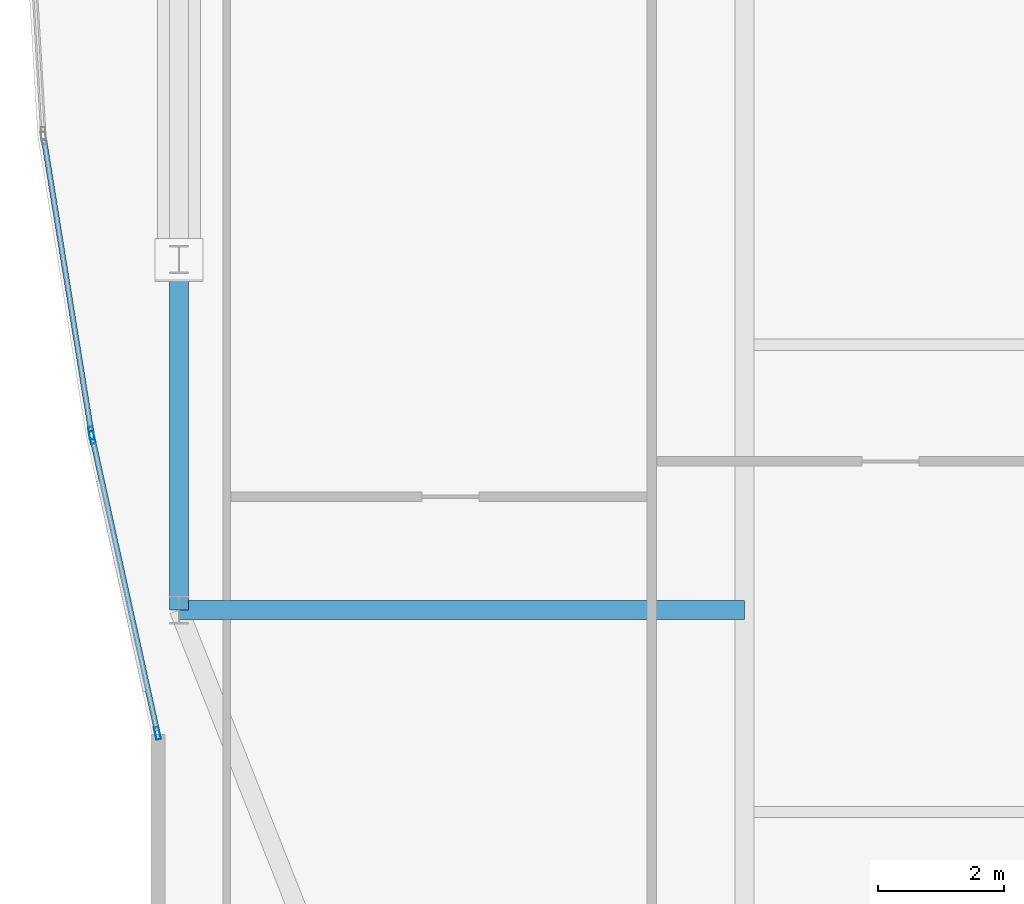
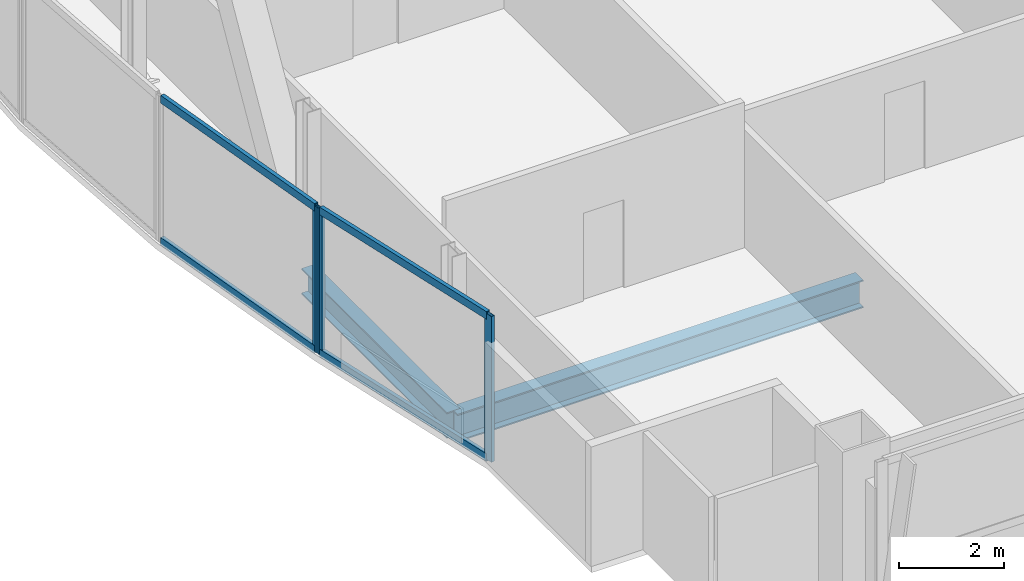
# One storey, part 6 of 31: 7 members, 2 beams, 2 elements without a shape of their own.
"""IFC4 building model written with IfcOpenShell, lengths in metres."""

import ifcopenshell
import ifcopenshell.guid

model = None  # the IFC model being written
_history = None  # IfcOwnerHistory: only IFC2X3 demands one
_inside = {}  # id of a spatial element -> (the spatial element, [elements in it])
_under = {}  # id of a project, library or spatial element -> (it, [spatial elements below it])
_declared = {}  # id of a project -> (the project, [libraries it declares])
_typed = {}  # id of a type object -> (the type object, [elements of that type])
_made_of = {}  # id of a material, layer set ... -> (it, [elements and type objects made of it])


def new_model(schema):
    """Start an empty IFC model of exactly this schema.

    Asked for "IFC4X3", IfcOpenShell would pick the latest addendum, in which some entities
    have other attributes; the version numbers below select the first issue.
    IFC2X3 requires an IfcOwnerHistory on every rooted entity: one is made here for all.
    """
    global model, _history
    if schema == "IFC4X3":
        model = ifcopenshell.file(schema_version=(4, 3, 0, 0))
    else:
        model = ifcopenshell.file(schema=schema)
    _inside.clear()
    _under.clear()
    _declared.clear()
    _typed.clear()
    _made_of.clear()
    _history = None
    if model.schema == "IFC2X3":
        org = make("IfcOrganization", Name="unknown")
        user = make(
            "IfcPersonAndOrganization",
            ThePerson=make("IfcPerson", FamilyName="unknown"),
            TheOrganization=org,
        )
        app = make(
            "IfcApplication",
            ApplicationDeveloper=org,
            Version="unknown",
            ApplicationFullName="unknown",
            ApplicationIdentifier="unknown",
        )
        _history = make(
            "IfcOwnerHistory",
            OwningUser=user,
            OwningApplication=app,
            ChangeAction="ADDED",
            CreationDate=0,
        )
    return model


def make(cls, **values):
    """One entity of the class cls with the attributes given. An attribute that is None is left unset."""
    return model.create_entity(
        cls, **{name: value for name, value in values.items() if value is not None}
    )


def rooted(cls, **values):
    """An entity with a GlobalId (a new one), such as an element, a storey or a relation."""
    return make(cls, GlobalId=ifcopenshell.guid.new(), OwnerHistory=_history, **values)


def si_unit(unit_type, name, prefix=None):
    """IfcSIUnit, for example si_unit("LENGTHUNIT", "METRE", prefix="MILLI")."""
    return make("IfcSIUnit", UnitType=unit_type, Prefix=prefix, Name=name)


def assignment(units):
    """IfcUnitAssignment: the units of a project."""
    return None if units is None else make("IfcUnitAssignment", Units=units)


def point(xyz):
    """IfcCartesianPoint."""
    return None if xyz is None else make("IfcCartesianPoint", Coordinates=xyz)


def direction(xyz):
    """IfcDirection."""
    return None if xyz is None else make("IfcDirection", DirectionRatios=xyz)


def frame(location, z_axis=None, x_axis=None):
    """IfcAxis2Placement3D, a coordinate frame: its origin and axes. An axis left out is left unset."""
    return make(
        "IfcAxis2Placement3D",
        Location=point(location),
        Axis=direction(z_axis),
        RefDirection=direction(x_axis),
    )


def frame_2d(location, x_axis=None):
    """IfcAxis2Placement2D, a coordinate frame in the plane: its origin and x axis."""
    return make(
        "IfcAxis2Placement2D", Location=point(location), RefDirection=direction(x_axis)
    )


def origin():
    """The frame at (0, 0, 0) with its axes left unset."""
    return frame((0.0, 0.0, 0.0))


def origin_2d():
    """The frame at (0, 0) in the plane with its x axis left unset."""
    return frame_2d((0.0, 0.0))


def place(relative_to, where):
    """IfcLocalPlacement: puts the frame where relative to a parent placement (None: the world)."""
    return make(
        "IfcLocalPlacement", PlacementRelTo=relative_to, RelativePlacement=where
    )


def context(
    kind, dimensions, precision=None, world=None, true_north=None, identifier=None
):
    """IfcGeometricRepresentationContext, for example the 3D "Model" context."""
    return make(
        "IfcGeometricRepresentationContext",
        ContextIdentifier=identifier,
        ContextType=kind,
        CoordinateSpaceDimension=dimensions,
        Precision=precision,
        WorldCoordinateSystem=world,
        TrueNorth=true_north,
    )


def subcontext(parent, identifier, kind, view, scale=None):
    """IfcGeometricRepresentationSubContext, for example "Body" below "Model"."""
    return make(
        "IfcGeometricRepresentationSubContext",
        ContextIdentifier=identifier,
        ContextType=kind,
        ParentContext=parent,
        TargetScale=scale,
        TargetView=view,
    )


def project(units=None, contexts=None):
    """IfcProject with its units and contexts."""
    return rooted(
        "IfcProject",
        Name="project",
        RepresentationContexts=contexts,
        UnitsInContext=assignment(units),
    )


def spatial(cls, under=None, at=None, **own):
    """A site, building, storey or space (cls), placed at a placement, below another one or the project."""
    s = rooted(cls, ObjectPlacement=at, **own)
    if under is not None:
        _under.setdefault(under.id(), (under, []))[1].append(s)
    return s


def profile(cls, at=None, kind="AREA", **sizes):
    """A parametric profile (cls). Its sizes go by their IFC names, for example OverallWidth=200.0."""
    return make(cls, ProfileType=kind, Position=at, **sizes)


def hollow_rectangle(**sizes):
    """IfcRectangleHollowProfileDef."""
    return profile("IfcRectangleHollowProfileDef", **sizes)


def i_section(**sizes):
    """IfcIShapeProfileDef."""
    return profile("IfcIShapeProfileDef", **sizes)


def extrude(swept, where, along, depth):
    """IfcExtrudedAreaSolid: the profile swept, set in the frame where, extruded along a direction by depth."""
    return make(
        "IfcExtrudedAreaSolid",
        SweptArea=swept,
        Position=where,
        ExtrudedDirection=direction(along),
        Depth=depth,
    )


def shape(context_of_items, identifier, shape_type, items):
    """IfcShapeRepresentation: the items that make up one representation, for example the "Body"."""
    return make(
        "IfcShapeRepresentation",
        ContextOfItems=context_of_items,
        RepresentationIdentifier=identifier,
        RepresentationType=shape_type,
        Items=items,
    )


def material(Name=None, Category=None):
    """IfcMaterial."""
    return make("IfcMaterial", Name=Name, Category=Category)


def material_profile(
    of_material, cross_section, Name=None, Category=None, Priority=None
):
    """IfcMaterialProfile: a cross section and its material."""
    return make(
        "IfcMaterialProfile",
        Name=Name,
        Material=of_material,
        Profile=cross_section,
        Priority=Priority,
        Category=Category,
    )


def profile_set(profiles, Name=None, composite=None):
    """IfcMaterialProfileSet."""
    return make(
        "IfcMaterialProfileSet",
        Name=Name,
        MaterialProfiles=profiles,
        CompositeProfile=composite,
    )


def made_of(thing, what):
    """Note that an element or type object is made of a material, layer set ...; save() writes the relation."""
    if what is not None:
        _made_of.setdefault(what.id(), (what, []))[1].append(thing)
    return thing


def type_object(cls, material=None, **own):
    """A type object (cls), such as IfcWallType, which elements share."""
    return made_of(rooted(cls, **own), material)


def element(
    cls,
    number,
    at=None,
    inside=None,
    cuts=None,
    type_object=None,
    material=None,
    context=None,
    identifier="Body",
    shape_type=None,
    held_by="IfcProductDefinitionShape",
    body=None,
    shapes=None,
    **own,
):
    """One element of the class cls, such as IfcWall. Its Tag is "e" and its number.

    at: its placement. inside: the storey or other place that contains it. cuts: it is an
    opening in that element (IfcRelVoidsElement). A single representation is given by context,
    identifier, shape_type and body (its items); several are given by shapes. held_by: the class
    of the entity that holds the representations. save() writes the other relations.
    """
    e = rooted(cls, Tag="e%d" % number, ObjectPlacement=at, **own)
    if body is not None:
        shapes = [shape(context, identifier, shape_type, body)]
    if shapes is not None:
        e.Representation = make(held_by, Representations=shapes)
    if inside is not None:
        _inside.setdefault(inside.id(), (inside, []))[1].append(e)
    if cuts is not None:
        rooted(
            "IfcRelVoidsElement", RelatingBuildingElement=cuts, RelatedOpeningElement=e
        )
    if type_object is not None:
        _typed.setdefault(type_object.id(), (type_object, []))[1].append(e)
    return made_of(e, material)


def aggregate(whole, parts):
    """IfcRelAggregates: a whole, such as a stair, and the parts it consists of."""
    return rooted("IfcRelAggregates", RelatingObject=whole, RelatedObjects=parts)


def save(model, path):
    """Write the relations noted so far, then the file.

    IfcRelAggregates (storeys below a building ...), IfcRelContainedInSpatialStructure (elements
    in a storey), IfcRelDefinesByType, IfcRelAssociatesMaterial and IfcRelDeclares: one each for
    every whole, place, type object, material and project.
    """
    for whole, parts in _under.values():
        aggregate(whole, parts)
    for where, things in _inside.values():
        rooted(
            "IfcRelContainedInSpatialStructure",
            RelatedElements=things,
            RelatingStructure=where,
        )
    for kind, things in _typed.values():
        rooted("IfcRelDefinesByType", RelatedObjects=things, RelatingType=kind)
    for what, things in _made_of.values():
        rooted("IfcRelAssociatesMaterial", RelatedObjects=things, RelatingMaterial=what)
    for by, libraries in _declared.values():
        rooted("IfcRelDeclares", RelatingContext=by, RelatedDefinitions=libraries)
    model.write(path)


model = new_model("IFC4")

# Units and contexts
model_context = context("Model", 3, precision=1e-05, world=origin(), true_north=direction((0.0, 1.0)))
body_context = subcontext(model_context, "Body", "Model", "MODEL_VIEW")
ifc_project = project(units=[si_unit("LENGTHUNIT", "METRE"), si_unit("AREAUNIT", "SQUARE_METRE"), si_unit("VOLUMEUNIT", "CUBIC_METRE"), si_unit("PLANEANGLEUNIT", "RADIAN"), si_unit("MASSUNIT", "GRAM", prefix="KILO")], contexts=[model_context])

# Site, building, storey
site_placement = place(None, origin())
site = spatial("IfcSite", under=ifc_project, at=site_placement, CompositionType="ELEMENT")
building_placement = place(site_placement, origin())
building = spatial("IfcBuilding", under=site, at=building_placement, Name="Khoronbel Lancet Exchange", CompositionType="ELEMENT")
storey_placement = place(building_placement, frame((0.0, 0.0, 261.800048828125)))
storey = spatial("IfcBuildingStorey", under=building, at=storey_placement, Name="L67", CompositionType="ELEMENT", Elevation=261.800048828125)

# Beams
ifc_material_1 = material(Name="Steel S355", Category="steel")
ifc_material_profile_1 = material_profile(ifc_material_1, i_section(OverallWidth=0.300048828125, OverallDepth=0.64990234375, WebThickness=0.01611328125, FlangeThickness=0.031005859375, at=origin_2d()), Name="HEB 650")
ifc_profile_set_1 = profile_set([ifc_material_profile_1], Name="Steel S355")
beam_type_1 = type_object("IfcBeamType", Name="BM-BG4", PredefinedType="BEAM", material=ifc_profile_set_1)
beam_1_placement = place(storey_placement, frame((9.27001953125, 19.199951171875, -0.485107421875), z_axis=(1.0, 0.0, 0.0), x_axis=(0.0, 1.0, 0.0)))
element("IfcBeam", 1, at=beam_1_placement, inside=storey, type_object=beam_type_1, Name="Level L67 west lens tie girder LG1W", PredefinedType="BEAM", context=body_context, shape_type="SweptSolid", body=[
    extrude(i_section(OverallWidth=0.300048828125, OverallDepth=0.64990234375, WebThickness=0.01611328125, FlangeThickness=0.031005859375, at=origin_2d()), origin(), (0.0, 0.0, 1.0), 8.955078125),
])
ifc_material_profile_2 = material_profile(ifc_material_1, i_section(OverallWidth=0.300048828125, OverallDepth=0.60009765625, WebThickness=0.015380859375, FlangeThickness=0.030029296875, at=origin_2d()), Name="HEB 600")
ifc_profile_set_2 = profile_set([ifc_material_profile_2], Name="Steel S355")
beam_type_2 = type_object("IfcBeamType", Name="BM-BSP2", PredefinedType="SPANDREL", material=ifc_profile_set_2)
beam_2_placement = place(storey_placement, frame((9.27001953125, 24.75, -0.4599609375), z_axis=(0.0, -1.0, 0.0), x_axis=(1.0, 0.0, 0.0)))
element("IfcBeam", 2, at=beam_2_placement, inside=storey, type_object=beam_type_2, Name="Level L67 perimeter spandrel beam SP20", PredefinedType="SPANDREL", context=body_context, shape_type="SweptSolid", body=[
    extrude(i_section(OverallWidth=0.300048828125, OverallDepth=0.60009765625, WebThickness=0.015380859375, FlangeThickness=0.030029296875, at=origin_2d()), origin(), (0.0, 0.0, 1.0), 5.550048828125),
])

# Curtain wall, members
ifc_material_2 = material(Name="Low-E Solar Control Insulating Glass", Category="glass")
curtain_wall_type = type_object("IfcCurtainWallType", Name="CW-4", PredefinedType="NOTDEFINED", material=ifc_material_2)
curtain_wall_1_placement = place(storey_placement, origin())
curtain_wall_1 = element("IfcCurtainWall", 3, at=curtain_wall_1_placement, inside=storey, type_object=curtain_wall_type, Name="Unitised curtain wall CW-L67-E04", PredefinedType="NOTDEFINED")
ifc_material_3 = material(Name="Bronze-Anodised Aluminium 6063-T6", Category="aluminium")
ifc_material_profile_3 = material_profile(ifc_material_3, hollow_rectangle(XDim=0.074951171875, YDim=0.199951171875, WallThickness=0.0048828125, at=origin_2d()), Name="ALU MULLION 75x200")
ifc_profile_set_3 = profile_set([ifc_material_profile_3], Name="Bronze-Anodised Aluminium 6063-T6")
member_type_1 = type_object("IfcMemberType", Name="MEM-CWM2", PredefinedType="MULLION", material=ifc_profile_set_3)
member_1_placement = place(storey_placement, frame((8.931884765625, 17.246337890625, 0.0), z_axis=(0.0, 0.0, 1.0), x_axis=(-0.976509102721, -0.215476152515, 0.0)))
member_1 = element("IfcMember", 4, at=member_1_placement, type_object=member_type_1, Name="CW4 mullion 1", PredefinedType="MULLION", context=body_context, shape_type="SweptSolid", body=[
    extrude(hollow_rectangle(XDim=0.074951171875, YDim=0.199951171875, WallThickness=0.0048828125, at=origin_2d()), origin(), (0.0, 0.0, 1.0), 3.39990234375),
])
member_2_placement = place(storey_placement, frame((7.8984375, 21.93017578125, 0.0), z_axis=(0.0, 0.0, 1.0), x_axis=(-0.976509102721, -0.215476152515, 0.0)))
member_2 = element("IfcMember", 5, at=member_2_placement, type_object=member_type_1, Name="CW4 mullion 2", PredefinedType="MULLION", context=body_context, shape_type="SweptSolid", body=[
    extrude(hollow_rectangle(XDim=0.074951171875, YDim=0.199951171875, WallThickness=0.0048828125, at=origin_2d()), origin(), (0.0, 0.0, 1.0), 3.39990234375),
])

# Curtain wall, member
curtain_wall_2_placement = place(storey_placement, origin())
curtain_wall_2 = element("IfcCurtainWall", 6, at=curtain_wall_2_placement, inside=storey, type_object=curtain_wall_type, Name="Unitised curtain wall CW-L67-E05", PredefinedType="NOTDEFINED")
member_3_placement = place(storey_placement, frame((7.88427734375, 22.00390625, 0.0), z_axis=(0.0, 0.0, 1.0), x_axis=(-0.987205103846, -0.159455582972, 0.0)))
member_3 = element("IfcMember", 7, at=member_3_placement, type_object=member_type_1, Name="CW4 mullion 1", PredefinedType="MULLION", context=body_context, shape_type="SweptSolid", body=[
    extrude(hollow_rectangle(XDim=0.074951171875, YDim=0.199951171875, WallThickness=0.0048828125, at=origin_2d()), origin(), (0.0, 0.0, 1.0), 3.39990234375),
])

# Member
ifc_material_profile_4 = material_profile(ifc_material_3, hollow_rectangle(XDim=0.0849609375, YDim=0.179931640625, WallThickness=0.0048828125, at=origin_2d()), Name="ALU TRANSOM 85x180")
ifc_profile_set_4 = profile_set([ifc_material_profile_4], Name="Bronze-Anodised Aluminium 6063-T6")
member_type_2 = type_object("IfcMemberType", Name="MEM-CWT1", PredefinedType="USERDEFINED", material=ifc_profile_set_4)
member_4_placement = place(storey_placement, frame((8.923828125, 17.282958984375, 0.04248046875), z_axis=(-0.215468391176, 0.976510815303, 0.0), x_axis=(-0.976510815303, -0.215468391176, 0.0)))
member_4 = element("IfcMember", 8, at=member_4_placement, type_object=member_type_2, Name="CW4 transom 1.1", ObjectType="TRANSOM", PredefinedType="USERDEFINED", context=body_context, shape_type="SweptSolid", body=[
    extrude(hollow_rectangle(XDim=0.0849609375, YDim=0.179931640625, WallThickness=0.0048828125, at=origin_2d()), origin(), (0.0, 0.0, 1.0), 4.721435546875),
])

member_5_placement = place(storey_placement, frame((8.923828125, 17.282958984375, 3.357421875), z_axis=(-0.215468391176, 0.976510815303, 0.0), x_axis=(-0.976510815303, -0.215468391176, 0.0)))
member_5 = element("IfcMember", 9, at=member_5_placement, type_object=member_type_2, Name="CW4 transom 1.2", ObjectType="TRANSOM", PredefinedType="USERDEFINED", context=body_context, shape_type="SweptSolid", body=[
    extrude(hollow_rectangle(XDim=0.0849609375, YDim=0.179931640625, WallThickness=0.0048828125, at=origin_2d()), origin(), (0.0, 0.0, 1.0), 4.721435546875),
])

aggregate(curtain_wall_1, [member_1, member_2, member_4, member_5])

member_6_placement = place(storey_placement, frame((7.87841796875, 22.041015625, 0.04248046875), z_axis=(-0.159463321766, 0.987203853827, 0.0), x_axis=(-0.987203853827, -0.159463321766, 0.0)))
member_6 = element("IfcMember", 10, at=member_6_placement, type_object=member_type_2, Name="CW4 transom 1.1", ObjectType="TRANSOM", PredefinedType="USERDEFINED", context=body_context, shape_type="SweptSolid", body=[
    extrude(hollow_rectangle(XDim=0.0849609375, YDim=0.179931640625, WallThickness=0.0048828125, at=origin_2d()), origin(), (0.0, 0.0, 1.0), 4.654296875),
])

member_7_placement = place(storey_placement, frame((7.87841796875, 22.041015625, 3.357421875), z_axis=(-0.159463321766, 0.987203853827, 0.0), x_axis=(-0.987203853827, -0.159463321766, 0.0)))
member_7 = element("IfcMember", 11, at=member_7_placement, type_object=member_type_2, Name="CW4 transom 1.2", ObjectType="TRANSOM", PredefinedType="USERDEFINED", context=body_context, shape_type="SweptSolid", body=[
    extrude(hollow_rectangle(XDim=0.0849609375, YDim=0.179931640625, WallThickness=0.0048828125, at=origin_2d()), origin(), (0.0, 0.0, 1.0), 4.654296875),
])

aggregate(curtain_wall_2, [member_3, member_6, member_7])

save(model, "model.ifc")
